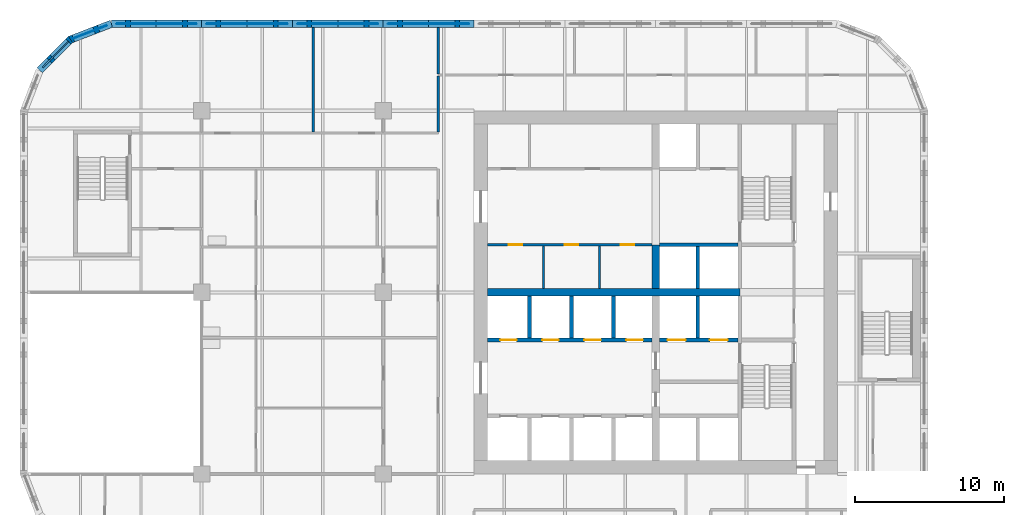
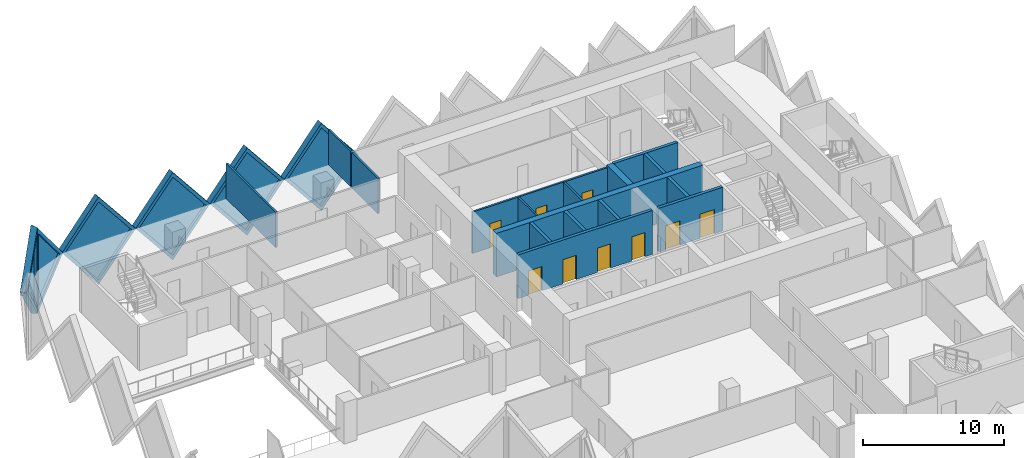
# One storey, part 9 of 20: 22 walls, 9 doors, 6 plates, 15 openings.
"""IFC4 building model written with IfcOpenShell, lengths in metres."""

from ifc_helpers import new_model, si_unit, direction, frame, frame_2d, origin, place, context, subcontext, project, spatial, polyline, rectangle, outline, extrude, faceted_brep, source, transform, mapped, material, layer, layer_set, type_object, element, fill, save


model = new_model("IFC4")

# Units and contexts
model_context = context("Model", 3, precision=1e-05, world=origin(), true_north=direction((0.0, 1.0)))
body_context = subcontext(model_context, "Body", "Model", "MODEL_VIEW")
ifc_project = project(units=[si_unit("LENGTHUNIT", "METRE"), si_unit("AREAUNIT", "SQUARE_METRE"), si_unit("VOLUMEUNIT", "CUBIC_METRE"), si_unit("PLANEANGLEUNIT", "RADIAN"), si_unit("MASSUNIT", "GRAM", prefix="KILO")], contexts=[model_context])

# Site, building, storey
site_placement = place(None, origin())
site = spatial("IfcSite", under=ifc_project, at=site_placement, CompositionType="ELEMENT")
building_placement = place(site_placement, origin())
building = spatial("IfcBuilding", under=site, at=building_placement, Name="Tessera Gate Towers", CompositionType="ELEMENT")
storey_placement = place(building_placement, frame((0.0, 0.0, 52.39990234375)))
storey = spatial("IfcBuildingStorey", under=building, at=storey_placement, Name="L12", CompositionType="ELEMENT", Elevation=52.39990234375)

# Wall, openings, doors
ifc_material_1 = material(Name="Concrete C40/50", Category="concrete")
ifc_layer_1 = layer(ifc_material_1, 0.25)
ifc_layer_set_1 = layer_set([ifc_layer_1], Name="CORE ENCLOSURE WALL 250")
wall_type_1 = type_object("IfcWallType", Name="CORE ENCLOSURE WALL 250", PredefinedType="SOLIDWALL", material=ifc_layer_set_1)
wall_1_placement = place(storey_placement, frame((42.449951171875, 33.39990234375, 0.0), z_axis=(0.0, 0.0, 1.0), x_axis=(-1.0, 0.0, 0.0)))
wall_1 = element("IfcWall", 1, at=wall_1_placement, inside=storey, type_object=wall_type_1, Name="L12 shaft and stair enclosure wall", PredefinedType="SOLIDWALL", context=body_context, shape_type="SweptSolid", body=[
    extrude(rectangle(XDim=11.050048828125, YDim=0.25, at=frame_2d((5.52490234375, 0.0))), origin(), (0.0, 0.0, 1.0), 3.800048828125),
])
shared_shape_1 = source(origin(), body_context, "Body", "SweptSolid", [
    extrude(rectangle(XDim=1.10009765625, YDim=2.10009765625, at=frame_2d((0.550048828125, 1.050048828125))), frame((0.0, 0.135009765625, 0.0), z_axis=(0.0, -1.0, 0.0), x_axis=(1.0, 0.0, 0.0)), (0.0, 0.0, 1.0), 0.27001953125),
])
opening_1_placement = place(wall_1_placement, frame((9.08740234375, 0.0, 0.0)))
opening_1 = element("IfcOpeningElement", 2, at=opening_1_placement, cuts=wall_1, Name="Opening LD-LR5", PredefinedType="OPENING", context=body_context, shape_type="MappedRepresentation", body=[
    mapped(shared_shape_1, transform((0.0, 0.0, 0.0), scale=1.0)),
])
opening_2_placement = place(wall_1_placement, frame((6.262451171875, 0.0, 0.0)))
opening_2 = element("IfcOpeningElement", 3, at=opening_2_placement, cuts=wall_1, Name="Opening LD-LR6", PredefinedType="OPENING", context=body_context, shape_type="MappedRepresentation", body=[
    mapped(shared_shape_1, transform((0.0, 0.0, 0.0), scale=1.0)),
])
opening_3_placement = place(wall_1_placement, frame((3.4375, 0.0, 0.0)))
opening_3 = element("IfcOpeningElement", 4, at=opening_3_placement, cuts=wall_1, Name="Opening LD-LR7", PredefinedType="OPENING", context=body_context, shape_type="MappedRepresentation", body=[
    mapped(shared_shape_1, transform((0.0, 0.0, 0.0), scale=1.0)),
])
opening_4_placement = place(wall_1_placement, frame((0.612548828125, 0.0, 0.0)))
opening_4 = element("IfcOpeningElement", 5, at=opening_4_placement, cuts=wall_1, Name="Opening LD-LR8", PredefinedType="OPENING", context=body_context, shape_type="MappedRepresentation", body=[
    mapped(shared_shape_1, transform((0.0, 0.0, 0.0), scale=1.0)),
])
ifc_material_2 = material(Name="Stainless steel", Category="steel")
door_type_1 = type_object("IfcDoorType", Name="CORE DOOR LD 1100x2100", OperationType="DOUBLE_DOOR_SLIDING", PredefinedType="DOOR", material=ifc_material_2)
shared_shape_2 = source(origin(), body_context, "Body", "SweptSolid", [
    extrude(rectangle(XDim=1.10009765625, YDim=2.10009765625, at=frame_2d((0.550048828125, 1.050048828125))), frame((0.0, 0.02490234375, 0.0), z_axis=(0.0, -1.0, 0.0), x_axis=(1.0, 0.0, 0.0)), (0.0, 0.0, 1.0), 0.050048828125),
])
door_1_placement = place(opening_1_placement, origin())
door_1 = element("IfcDoor", 6, at=door_1_placement, inside=storey, type_object=door_type_1, Name="Landing door LR5 L12", OperationType="DOUBLE_DOOR_SLIDING", OverallHeight=2.10009765625, OverallWidth=1.10009765625, PredefinedType="DOOR", context=body_context, shape_type="MappedRepresentation", body=[
    mapped(shared_shape_2, transform((0.0, 0.0, 0.0), scale=1.0)),
])
fill(opening_1, door_1)
door_2_placement = place(opening_2_placement, origin())
door_2 = element("IfcDoor", 7, at=door_2_placement, inside=storey, type_object=door_type_1, Name="Landing door LR6 L12", OperationType="DOUBLE_DOOR_SLIDING", OverallHeight=2.10009765625, OverallWidth=1.10009765625, PredefinedType="DOOR", context=body_context, shape_type="MappedRepresentation", body=[
    mapped(shared_shape_2, transform((0.0, 0.0, 0.0), scale=1.0)),
])
fill(opening_2, door_2)
door_3_placement = place(opening_3_placement, origin())
door_3 = element("IfcDoor", 8, at=door_3_placement, inside=storey, type_object=door_type_1, Name="Landing door LR7 L12", OperationType="DOUBLE_DOOR_SLIDING", OverallHeight=2.10009765625, OverallWidth=1.10009765625, PredefinedType="DOOR", context=body_context, shape_type="MappedRepresentation", body=[
    mapped(shared_shape_2, transform((0.0, 0.0, 0.0), scale=1.0)),
])
fill(opening_3, door_3)
door_4_placement = place(opening_4_placement, origin())
door_4 = element("IfcDoor", 9, at=door_4_placement, inside=storey, type_object=door_type_1, Name="Landing door LR8 L12", OperationType="DOUBLE_DOOR_SLIDING", OverallHeight=2.10009765625, OverallWidth=1.10009765625, PredefinedType="DOOR", context=body_context, shape_type="MappedRepresentation", body=[
    mapped(shared_shape_2, transform((0.0, 0.0, 0.0), scale=1.0)),
])
fill(opening_4, door_4)

wall_2_placement = place(storey_placement, frame((48.22509765625, 33.39990234375, 0.0), z_axis=(0.0, 0.0, 1.0), x_axis=(-1.0, 0.0, 0.0)))
wall_2 = element("IfcWall", 10, at=wall_2_placement, inside=storey, type_object=wall_type_1, Name="L12 shaft and stair enclosure wall", PredefinedType="SOLIDWALL", context=body_context, shape_type="SweptSolid", body=[
    extrude(rectangle(XDim=5.275146484375, YDim=0.25, at=frame_2d((2.6376953125, 0.0))), origin(), (0.0, 0.0, 1.0), 3.800048828125),
])
shared_shape_3 = source(origin(), body_context, "Body", "SweptSolid", [
    extrude(rectangle(XDim=1.199951171875, YDim=2.10009765625, at=frame_2d((0.60009765625, 1.050048828125))), frame((0.0, 0.135009765625, 0.0), z_axis=(0.0, -1.0, 0.0), x_axis=(1.0, 0.0, 0.0)), (0.0, 0.0, 1.0), 0.27001953125),
])
opening_5_placement = place(wall_2_placement, frame((3.512451171875, 0.0, 0.0)))
opening_5 = element("IfcOpeningElement", 11, at=opening_5_placement, cuts=wall_2, Name="Opening LD-FF1", PredefinedType="OPENING", context=body_context, shape_type="MappedRepresentation", body=[
    mapped(shared_shape_3, transform((0.0, 0.0, 0.0), scale=1.0)),
])
opening_6_placement = place(wall_2_placement, frame((0.6875, 0.0, 0.0)))
opening_6 = element("IfcOpeningElement", 12, at=opening_6_placement, cuts=wall_2, Name="Opening LD-FF2", PredefinedType="OPENING", context=body_context, shape_type="MappedRepresentation", body=[
    mapped(shared_shape_3, transform((0.0, 0.0, 0.0), scale=1.0)),
])
ifc_material_3 = material(Name="Stainless steel", Category="steel")
door_type_2 = type_object("IfcDoorType", Name="CORE DOOR LD1200 1200x2100", OperationType="DOUBLE_DOOR_SLIDING", PredefinedType="DOOR", material=ifc_material_3)
shared_shape_4 = source(origin(), body_context, "Body", "SweptSolid", [
    extrude(rectangle(XDim=1.199951171875, YDim=2.10009765625, at=frame_2d((0.60009765625, 1.050048828125))), frame((0.0, 0.02490234375, 0.0), z_axis=(0.0, -1.0, 0.0), x_axis=(1.0, 0.0, 0.0)), (0.0, 0.0, 1.0), 0.050048828125),
])
door_5_placement = place(opening_5_placement, origin())
door_5 = element("IfcDoor", 13, at=door_5_placement, inside=storey, type_object=door_type_2, Name="Landing door FF1 L12", OperationType="DOUBLE_DOOR_SLIDING", OverallHeight=2.10009765625, OverallWidth=1.199951171875, PredefinedType="DOOR", context=body_context, shape_type="MappedRepresentation", body=[
    mapped(shared_shape_4, transform((0.0, 0.0, 0.0), scale=1.0)),
])
fill(opening_5, door_5)
door_6_placement = place(opening_6_placement, origin())
door_6 = element("IfcDoor", 14, at=door_6_placement, inside=storey, type_object=door_type_2, Name="Landing door FF2 L12", OperationType="DOUBLE_DOOR_SLIDING", OverallHeight=2.10009765625, OverallWidth=1.199951171875, PredefinedType="DOOR", context=body_context, shape_type="MappedRepresentation", body=[
    mapped(shared_shape_4, transform((0.0, 0.0, 0.0), scale=1.0)),
])
fill(opening_6, door_6)

# Walls
wall_3_placement = place(storey_placement, frame((42.949951171875, 39.800048828125, 0.0), z_axis=(0.0, 0.0, 1.0), x_axis=(1.0, 0.0, 0.0)))
element("IfcWall", 15, at=wall_3_placement, inside=storey, type_object=wall_type_1, Name="L12 shaft and stair enclosure wall", PredefinedType="SOLIDWALL", context=body_context, shape_type="SweptSolid", body=[
    extrude(rectangle(XDim=5.275146484375, YDim=0.25, at=frame_2d((2.6376953125, 0.0))), origin(), (0.0, 0.0, 1.0), 3.800048828125),
])
wall_4_placement = place(storey_placement, frame((45.52490234375, 33.52490234375, 0.0), z_axis=(0.0, 0.0, 1.0), x_axis=(0.0, 1.0, 0.0)))
element("IfcWall", 16, at=wall_4_placement, inside=storey, type_object=wall_type_1, Name="L12 shaft and stair enclosure wall", PredefinedType="SOLIDWALL", context=body_context, shape_type="SweptSolid", body=[
    extrude(rectangle(XDim=2.8251953125, YDim=0.25, at=frame_2d((1.41259765625, 0.0))), origin(), (0.0, 0.0, 1.0), 3.800048828125),
])
wall_5_placement = place(storey_placement, frame((45.52490234375, 36.85009765625, 0.0), z_axis=(0.0, 0.0, 1.0), x_axis=(0.0, 1.0, 0.0)))
element("IfcWall", 17, at=wall_5_placement, inside=storey, type_object=wall_type_1, Name="L12 shaft and stair enclosure wall", PredefinedType="SOLIDWALL", context=body_context, shape_type="SweptSolid", body=[
    extrude(rectangle(XDim=2.824951171875, YDim=0.25, at=frame_2d((1.41259765625, 0.0))), origin(), (0.0, 0.0, 1.0), 3.800048828125),
])
for number, where, z_axis, x_axis, name in (
    (18, (34.22509765625, 33.52490234375, 0.0), (0.0, 0.0, 1.0), (0.0, 1.0, 0.0), "L12 shaft and stair enclosure wall"),
    (19, (37.050048828125, 33.52490234375, 0.0), (0.0, 0.0, 1.0), (0.0, 1.0, 0.0), "L12 shaft and stair enclosure wall"),
    (20, (39.875, 33.52490234375, 0.0), (0.0, 0.0, 1.0), (0.0, 1.0, 0.0), "L12 shaft and stair enclosure wall"),
):
    element("IfcWall", number, at=place(storey_placement, frame(where, z_axis=z_axis, x_axis=x_axis)), inside=storey, type_object=wall_type_1, Name=name, PredefinedType="SOLIDWALL", context=body_context, shape_type="SweptSolid", body=[
        extrude(rectangle(XDim=2.8251953125, YDim=0.25, at=frame_2d((1.41259765625, 0.0))), origin(), (0.0, 0.0, 1.0), 3.800048828125),
    ])
ifc_material_4 = material(Name="Concrete C70/85", Category="concrete")
ifc_layer_2 = layer(ifc_material_4, 0.5)
ifc_layer_set_2 = layer_set([ifc_layer_2], Name="CORE SPINE WALL 500 C70/85")
wall_type_2 = type_object("IfcWallType", Name="CORE SPINE WALL 500 C70/85", PredefinedType="SHEAR", material=ifc_layer_set_2)
wall_6_placement = place(storey_placement, frame((31.39990234375, 36.60009765625, 0.0), z_axis=(0.0, 0.0, 1.0), x_axis=(1.0, 0.0, 0.0)))
element("IfcWall", 21, at=wall_6_placement, inside=storey, type_object=wall_type_2, Name="Core wall spine L12", PredefinedType="SHEAR", context=body_context, shape_type="SweptSolid", body=[
    extrude(rectangle(XDim=16.9501953125, YDim=0.5, at=frame_2d((8.47509765625, 0.0))), origin(), (0.0, 0.0, 1.0), 3.800048828125),
])
wall_7_placement = place(storey_placement, frame((42.699951171875, 36.85009765625, 0.0), z_axis=(0.0, 0.0, 1.0), x_axis=(0.0, 1.0, 0.0)))
element("IfcWall", 22, at=wall_7_placement, inside=storey, type_object=wall_type_2, Name="Core wall spine L12", PredefinedType="SHEAR", context=body_context, shape_type="SweptSolid", body=[
    extrude(rectangle(XDim=2.949951171875, YDim=0.5, at=frame_2d((1.47509765625, 0.0))), origin(), (0.0, 0.0, 1.0), 3.800048828125),
])
ifc_material_5 = material(Name="Gypsum board on steel studs, mineral wool", Category="steel")
ifc_layer_3 = layer(ifc_material_5, 0.14990234375)
ifc_layer_set_3 = layer_set([ifc_layer_3], Name="CORRIDOR WALL 150")
wall_type_3 = type_object("IfcWallType", Name="CORRIDOR WALL 150", PredefinedType="PARTITIONING", material=ifc_layer_set_3)
wall_8_placement = place(storey_placement, frame((28.10009765625, 47.3759765625, 0.0), z_axis=(0.0, 0.0, 1.0), x_axis=(0.0, 1.0, 0.0)))
element("IfcWall", 23, at=wall_8_placement, inside=storey, type_object=wall_type_3, Name="T1-L12-PW-051", PredefinedType="PARTITIONING", context=body_context, shape_type="SweptSolid", body=[
    extrude(rectangle(XDim=3.748046875, YDim=0.14990234375, at=frame_2d((1.8740234375, 0.0))), origin(), (0.0, 0.0, 1.0), 3.067138671875),
])

# Wall, openings, doors
ifc_material_6 = material(Name="Gypsum board on steel studs", Category="steel")
ifc_layer_4 = layer(ifc_material_6, 0.14990234375)
ifc_layer_set_4 = layer_set([ifc_layer_4], Name="SERVICE ROOM WALL 150")
wall_type_4 = type_object("IfcWallType", Name="SERVICE ROOM WALL 150", PredefinedType="PARTITIONING", material=ifc_layer_set_4)
wall_9_placement = place(storey_placement, frame((42.449951171875, 39.800048828125, 0.0), z_axis=(0.0, 0.0, 1.0), x_axis=(-1.0, 0.0, 0.0)))
wall_9 = element("IfcWall", 24, at=wall_9_placement, inside=storey, type_object=wall_type_4, Name="L12 service room wall", PredefinedType="PARTITIONING", context=body_context, shape_type="SweptSolid", body=[
    extrude(rectangle(XDim=11.050048828125, YDim=0.14990234375, at=frame_2d((5.52490234375, 0.0))), origin(), (0.0, 0.0, 1.0), 3.60009765625),
])
shared_shape_5 = source(origin(), body_context, "Body", "SweptSolid", [
    extrude(rectangle(XDim=0.89990234375, YDim=2.10009765625, at=frame_2d((0.449951171875, 1.050048828125))), frame((0.0, 0.0849609375, 0.0), z_axis=(0.0, -1.0, 0.0), x_axis=(1.0, 0.0, 0.0)), (0.0, 0.0, 1.0), 0.169921875),
])
opening_7_placement = place(wall_9_placement, frame((8.71240234375, 0.0, 0.0)))
opening_7 = element("IfcOpeningElement", 25, at=opening_7_placement, cuts=wall_9, Name="Opening RD-T1-09-07", PredefinedType="OPENING", context=body_context, shape_type="MappedRepresentation", body=[
    mapped(shared_shape_5, transform((0.0, 0.0, 0.0), scale=1.0)),
])
opening_8_placement = place(wall_9_placement, frame((4.949951171875, 0.0, 0.0)))
opening_8 = element("IfcOpeningElement", 26, at=opening_8_placement, cuts=wall_9, Name="Opening RD-T1-09-08", PredefinedType="OPENING", context=body_context, shape_type="MappedRepresentation", body=[
    mapped(shared_shape_5, transform((0.0, 0.0, 0.0), scale=1.0)),
])
opening_9_placement = place(wall_9_placement, frame((1.1875, 0.0, 0.0)))
opening_9 = element("IfcOpeningElement", 27, at=opening_9_placement, cuts=wall_9, Name="Opening RD-T1-09-09", PredefinedType="OPENING", context=body_context, shape_type="MappedRepresentation", body=[
    mapped(shared_shape_5, transform((0.0, 0.0, 0.0), scale=1.0)),
])
ifc_material_7 = material(Name="Hollow steel fire door", Category="steel")
door_type_3 = type_object("IfcDoorType", Name="CORE DOOR RD 900x2100", OperationType="NOTDEFINED", PredefinedType="DOOR", material=ifc_material_7)
shared_shape_6 = source(origin(), body_context, "Body", "SweptSolid", [
    extrude(rectangle(XDim=0.89990234375, YDim=2.10009765625, at=frame_2d((0.449951171875, 1.050048828125))), frame((0.0, 0.02490234375, 0.0), z_axis=(0.0, -1.0, 0.0), x_axis=(1.0, 0.0, 0.0)), (0.0, 0.0, 1.0), 0.050048828125),
])
door_7_placement = place(opening_7_placement, origin())
door_7 = element("IfcDoor", 28, at=door_7_placement, inside=storey, type_object=door_type_3, Name="Core room door", OperationType="SINGLE_SWING_RIGHT", OverallHeight=2.10009765625, OverallWidth=0.89990234375, PredefinedType="DOOR", context=body_context, shape_type="MappedRepresentation", body=[
    mapped(shared_shape_6, transform((0.0, 0.0, 0.0), scale=1.0)),
])
fill(opening_7, door_7)
door_8_placement = place(opening_8_placement, origin())
door_8 = element("IfcDoor", 29, at=door_8_placement, inside=storey, type_object=door_type_3, Name="Core room door", OperationType="SINGLE_SWING_LEFT", OverallHeight=2.10009765625, OverallWidth=0.89990234375, PredefinedType="DOOR", context=body_context, shape_type="MappedRepresentation", body=[
    mapped(shared_shape_6, transform((0.0, 0.0, 0.0), scale=1.0)),
])
fill(opening_8, door_8)
door_9_placement = place(opening_9_placement, origin())
door_9 = element("IfcDoor", 30, at=door_9_placement, inside=storey, type_object=door_type_3, Name="Core room door", OperationType="SINGLE_SWING_LEFT", OverallHeight=2.10009765625, OverallWidth=0.89990234375, PredefinedType="DOOR", context=body_context, shape_type="MappedRepresentation", body=[
    mapped(shared_shape_6, transform((0.0, 0.0, 0.0), scale=1.0)),
])
fill(opening_9, door_9)

# Walls
for number, where, z_axis, x_axis, name in (
    (31, (35.175048828125, 36.85009765625, 0.0), (0.0, 0.0, 1.0), (0.0, 1.0, 0.0), "L12 service room wall"),
    (32, (38.925048828125, 36.85009765625, 0.0), (0.0, 0.0, 1.0), (0.0, 1.0, 0.0), "L12 service room wall"),
):
    element("IfcWall", number, at=place(storey_placement, frame(where, z_axis=z_axis, x_axis=x_axis)), inside=storey, type_object=wall_type_4, Name=name, PredefinedType="PARTITIONING", context=body_context, shape_type="SweptSolid", body=[
        extrude(rectangle(XDim=2.875, YDim=0.14990234375, at=frame_2d((1.4375, 0.0))), origin(), (0.0, 0.0, 1.0), 3.60009765625),
    ])
ifc_material_8 = material(Name="Gypsum board on steel studs, mineral wool", Category="steel")
ifc_layer_5 = layer(ifc_material_8, 0.14990234375)
ifc_layer_set_5 = layer_set([ifc_layer_5], Name="TENANCY WALL 150")
wall_type_5 = type_object("IfcWallType", Name="TENANCY WALL 150", PredefinedType="PARTITIONING", material=ifc_layer_set_5)
wall_10_placement = place(storey_placement, frame((19.699951171875, 47.3759765625, 0.0), z_axis=(0.0, 0.0, 1.0), x_axis=(0.0, 1.0, 0.0)))
element("IfcWall", 33, at=wall_10_placement, inside=storey, type_object=wall_type_5, Name="T1-L12-PW-050", PredefinedType="PARTITIONING", context=body_context, shape_type="SweptSolid", body=[
    extrude(rectangle(XDim=7.02392578125, YDim=0.14990234375, at=frame_2d((3.511962890625, 0.0))), origin(), (0.0, 0.0, 1.0), 3.067138671875),
])
wall_11_placement = place(storey_placement, frame((28.10009765625, 51.27587890625, 0.0), z_axis=(0.0, 0.0, 1.0), x_axis=(0.0, 1.0, 0.0)))
element("IfcWall", 34, at=wall_11_placement, inside=storey, type_object=wall_type_5, Name="T1-L12-PW-055", PredefinedType="PARTITIONING", context=body_context, shape_type="SweptSolid", body=[
    extrude(rectangle(XDim=3.1240234375, YDim=0.14990234375, at=frame_2d((1.56201171875, 0.0))), origin(), (0.0, 0.0, 1.0), 3.067138671875),
])

# Wall, opening, plate
ifc_material_9 = material(Name="Precast concrete C60/75 white", Category="concrete")
ifc_layer_6 = layer(ifc_material_9, 0.5)
ifc_layer_set_6 = layer_set([ifc_layer_6], Name="TS1 tessera")
wall_type_6 = type_object("IfcWallType", Name="TS1 tessera", PredefinedType="SOLIDWALL", material=ifc_layer_set_6)
shared_shape_7 = source(origin(), body_context, "Body", "Brep", [
    faceted_brep([(3.050048828125, -0.25, 0.0), (6.099853515625, -0.25, 3.799560546875), (6.099853515625, -0.25, 3.800048828125), (3.050048828125, -0.25, 7.599853515625), (0.0, -0.25, 3.7998046875), (0.0, 0.25, 3.7998046875), (3.050048828125, 0.25, 7.599853515625), (6.099853515625, 0.25, 3.800048828125), (6.099853515625, 0.25, 3.799560546875), (3.050048828125, 0.25, 0.0)], [[[0, 1, 2, 3, 4]], [[5, 6, 7, 8, 9]], [[9, 8, 1, 0]], [[7, 6, 3, 2]], [[6, 5, 4, 3]], [[5, 9, 0, 4]], [[1, 8, 7, 2]]]),
])
wall_12_placement = place(storey_placement, frame((24.39990234375, 54.64990234375, -3.7998046875), z_axis=(0.0, 0.0, 1.0), x_axis=(-1.0, 0.0, 0.0)))
wall_12 = element("IfcWall", 35, at=wall_12_placement, inside=storey, type_object=wall_type_6, Name="Precast tessera T1 TS1-0176", PredefinedType="SOLIDWALL", context=body_context, shape_type="MappedRepresentation", body=[
    mapped(shared_shape_7, transform((0.0, 0.0, 0.0), scale=1.0)),
])
shared_shape_8 = source(origin(), body_context, "Body", "SweptSolid", [
    extrude(outline(polyline([(3.050048828125, 0.3994140625), (5.779541015625, 3.7998046875), (3.050048828125, 7.200439453125), (0.320556640625, 3.7998046875), (3.050048828125, 0.3994140625)])), frame((0.0, 0.260009765625, 0.0), z_axis=(0.0, -1.0, 0.0), x_axis=(1.0, 0.0, 0.0)), (0.0, 0.0, 1.0), 0.52001953125),
])
opening_10_placement = place(wall_12_placement, origin())
opening_10 = element("IfcOpeningElement", 36, at=opening_10_placement, cuts=wall_12, Name="Opening T1-PL2-0352", PredefinedType="OPENING", context=body_context, shape_type="MappedRepresentation", body=[
    mapped(shared_shape_8, transform((0.0, 0.0, 0.0), scale=1.0)),
])
ifc_material_10 = material(Name="Low-e laminated glass", Category="glass")
ifc_layer_7 = layer(ifc_material_10, 0.06005859375)
ifc_layer_set_7 = layer_set([ifc_layer_7], Name="PL2 rhombic pane")
plate_type = type_object("IfcPlateType", Name="PL2 rhombic pane", PredefinedType="SHEET", material=ifc_layer_set_7)
shared_shape_9 = source(origin(), body_context, "Body", "SweptSolid", [
    extrude(outline(polyline([(3.050048828125, 0.3994140625), (5.779541015625, 3.7998046875), (3.050048828125, 7.200439453125), (0.320556640625, 3.7998046875), (3.050048828125, 0.3994140625)])), frame((0.0, 0.030029296875, 0.0), z_axis=(0.0, -1.0, 0.0), x_axis=(1.0, 0.0, 0.0)), (0.0, 0.0, 1.0), 0.06005859375),
])
plate_1_placement = place(opening_10_placement, origin())
plate_1 = element("IfcPlate", 37, at=plate_1_placement, inside=storey, type_object=plate_type, Name="Glass pane T1 PL2-0352", PredefinedType="SHEET", context=body_context, shape_type="MappedRepresentation", body=[
    mapped(shared_shape_9, transform((0.0, 0.0, 0.0), scale=1.0)),
])
fill(opening_10, plate_1)

shared_shape_10 = source(origin(), body_context, "Body", "SweptSolid", [
    extrude(outline(polyline([(3.050048828125, 0.0), (6.10009765625, 3.7998046875), (3.050048828125, 7.599853515625), (0.0, 3.7998046875), (3.050048828125, 0.0)])), frame((0.0, 0.25, 0.0), z_axis=(0.0, -1.0, 0.0), x_axis=(1.0, 0.0, 0.0)), (0.0, 0.0, 1.0), 0.5),
])
wall_13_placement = place(storey_placement, frame((30.5, 54.64990234375, -3.7998046875), z_axis=(0.0, 0.0, 1.0), x_axis=(-1.0, 0.0, 0.0)))
wall_13 = element("IfcWall", 38, at=wall_13_placement, inside=storey, type_object=wall_type_6, Name="Precast tessera T1 TS1-0175", PredefinedType="SOLIDWALL", context=body_context, shape_type="MappedRepresentation", body=[
    mapped(shared_shape_10, transform((0.0, 0.0, 0.0), scale=1.0)),
])
opening_11_placement = place(wall_13_placement, origin())
opening_11 = element("IfcOpeningElement", 39, at=opening_11_placement, cuts=wall_13, Name="Opening T1-PL2-0351", PredefinedType="OPENING", context=body_context, shape_type="MappedRepresentation", body=[
    mapped(shared_shape_8, transform((0.0, 0.0, 0.0), scale=1.0)),
])
plate_2_placement = place(opening_11_placement, origin())
plate_2 = element("IfcPlate", 40, at=plate_2_placement, inside=storey, type_object=plate_type, Name="Glass pane T1 PL2-0351", PredefinedType="SHEET", context=body_context, shape_type="MappedRepresentation", body=[
    mapped(shared_shape_9, transform((0.0, 0.0, 0.0), scale=1.0)),
])
fill(opening_11, plate_2)

wall_14_placement = place(storey_placement, frame((18.300048828125, 54.64990234375, -3.7998046875), z_axis=(0.0, 0.0, 1.0), x_axis=(-1.0, 0.0, 0.0)))
wall_14 = element("IfcWall", 41, at=wall_14_placement, inside=storey, type_object=wall_type_6, Name="Precast tessera T1 TS1-0177", PredefinedType="SOLIDWALL", context=body_context, shape_type="MappedRepresentation", body=[
    mapped(shared_shape_10, transform((0.0, 0.0, 0.0), scale=1.0)),
])
opening_12_placement = place(wall_14_placement, origin())
opening_12 = element("IfcOpeningElement", 42, at=opening_12_placement, cuts=wall_14, Name="Opening T1-PL2-0353", PredefinedType="OPENING", context=body_context, shape_type="MappedRepresentation", body=[
    mapped(shared_shape_8, transform((0.0, 0.0, 0.0), scale=1.0)),
])
plate_3_placement = place(opening_12_placement, origin())
plate_3 = element("IfcPlate", 43, at=plate_3_placement, inside=storey, type_object=plate_type, Name="Glass pane T1 PL2-0353", PredefinedType="SHEET", context=body_context, shape_type="MappedRepresentation", body=[
    mapped(shared_shape_9, transform((0.0, 0.0, 0.0), scale=1.0)),
])
fill(opening_12, plate_3)

shared_shape_11 = source(origin(), body_context, "Body", "Brep", [
    faceted_brep([(3.050048828125, -0.25, 0.0), (6.053466796875, -0.25, 3.7998046875), (3.050048828125, -0.25, 7.599853515625), (0.0, -0.25, 3.7998046875), (0.0, 0.25, 3.7998046875), (3.050048828125, 0.25, 7.599853515625), (6.0068359375, 0.25, 3.858642578125), (6.0068359375, 0.25, 3.740966796875), (3.050048828125, 0.25, 0.0), (6.053466796875, 0.0, 3.7998046875)], [[[0, 1, 2, 3]], [[4, 5, 6, 7, 8]], [[8, 7, 9, 1, 0]], [[6, 5, 2, 1, 9]], [[5, 4, 3, 2]], [[4, 8, 0, 3]], [[9, 7, 6]]]),
])
wall_15_placement = place(storey_placement, frame((12.199951171875, 54.64990234375, -3.7998046875), z_axis=(0.0, 0.0, 1.0), x_axis=(-1.0, 0.0, 0.0)))
wall_15 = element("IfcWall", 44, at=wall_15_placement, inside=storey, type_object=wall_type_6, Name="Precast tessera T1 TS1-0178", PredefinedType="SOLIDWALL", context=body_context, shape_type="MappedRepresentation", body=[
    mapped(shared_shape_11, transform((0.0, 0.0, 0.0), scale=1.0)),
])
shared_shape_12 = source(origin(), body_context, "Body", "SweptSolid", [
    extrude(outline(polyline([(3.048583984375, 0.401123046875), (5.73486328125, 3.7998046875), (3.048583984375, 7.19873046875), (0.320556640625, 3.7998046875), (3.048583984375, 0.401123046875)])), frame((0.0, 0.260009765625, 0.0), z_axis=(0.0, -1.0, 0.0), x_axis=(1.0, 0.0, 0.0)), (0.0, 0.0, 1.0), 0.52001953125),
])
opening_13_placement = place(wall_15_placement, origin())
opening_13 = element("IfcOpeningElement", 45, at=opening_13_placement, cuts=wall_15, Name="Opening T1-PL2-0354", PredefinedType="OPENING", context=body_context, shape_type="MappedRepresentation", body=[
    mapped(shared_shape_12, transform((0.0, 0.0, 0.0), scale=1.0)),
])
shared_shape_13 = source(origin(), body_context, "Body", "SweptSolid", [
    extrude(outline(polyline([(3.048583984375, 0.401123046875), (5.73486328125, 3.7998046875), (3.048583984375, 7.19873046875), (0.320556640625, 3.7998046875), (3.048583984375, 0.401123046875)])), frame((0.0, 0.030029296875, 0.0), z_axis=(0.0, -1.0, 0.0), x_axis=(1.0, 0.0, 0.0)), (0.0, 0.0, 1.0), 0.06005859375),
])
plate_4_placement = place(opening_13_placement, origin())
plate_4 = element("IfcPlate", 46, at=plate_4_placement, inside=storey, type_object=plate_type, Name="Glass pane T1 PL2-0354", PredefinedType="SHEET", context=body_context, shape_type="MappedRepresentation", body=[
    mapped(shared_shape_13, transform((0.0, 0.0, 0.0), scale=1.0)),
])
fill(opening_13, plate_4)

ifc_material_11 = material(Name="Precast concrete C60/75 white", Category="concrete")
ifc_layer_8 = layer(ifc_material_11, 0.5)
ifc_layer_set_8 = layer_set([ifc_layer_8], Name="TS3 corner tessera")
wall_type_7 = type_object("IfcWallType", Name="TS3 corner tessera", PredefinedType="SOLIDWALL", material=ifc_layer_set_8)
shared_shape_14 = source(origin(), body_context, "Body", "Brep", [
    faceted_brep([(0.052978515625, -0.25, 0.0), (2.9970703125, -0.25, 3.7998046875), (0.052978515625, -0.25, 7.599853515625), (0.0, -0.25, 7.53173828125), (0.0, -0.25, 0.068115234375), (0.10595703125, 0.25, 7.531494140625), (2.944091796875, 0.25, 3.867919921875), (2.944091796875, 0.25, 3.731689453125), (0.10595703125, 0.25, 0.068359375), (2.9970703125, 0.000244140625, 3.7998046875), (0.052978515625, 0.0, 0.0), (0.052978515625, 0.0, 7.599853515625)], [[[0, 1, 2, 3, 4]], [[5, 6, 7, 8]], [[8, 7, 9, 1, 0, 10]], [[6, 5, 11, 2, 1, 9]], [[3, 2, 11]], [[10, 0, 4]], [[8, 10, 4, 3, 11, 5]], [[9, 7, 6]]]),
])
wall_16_placement = place(storey_placement, frame((3.43115234375, 53.62548828125, -3.7998046875), z_axis=(0.0, 0.0, 1.0), x_axis=(-0.707106781187, -0.707106781187, 0.0)))
wall_16 = element("IfcWall", 47, at=wall_16_placement, inside=storey, type_object=wall_type_7, Name="Precast corner tessera T1 TS3-0250", PredefinedType="SOLIDWALL", context=body_context, shape_type="MappedRepresentation", body=[
    mapped(shared_shape_14, transform((0.0, 0.0, 0.0), scale=1.0)),
])
shared_shape_15 = source(origin(), body_context, "Body", "SweptSolid", [
    extrude(outline(polyline([(0.2529296875, 0.666259765625), (2.680908203125, 3.7998046875), (0.2529296875, 6.93359375), (0.2529296875, 0.666259765625)])), frame((0.0, 0.260009765625, 0.0), z_axis=(0.0, -1.0, 0.0), x_axis=(1.0, 0.0, 0.0)), (0.0, 0.0, 1.0), 0.52001953125),
])
opening_14_placement = place(wall_16_placement, origin())
opening_14 = element("IfcOpeningElement", 48, at=opening_14_placement, cuts=wall_16, Name="Opening T1-PL2-0356", PredefinedType="OPENING", context=body_context, shape_type="MappedRepresentation", body=[
    mapped(shared_shape_15, transform((0.0, 0.0, 0.0), scale=1.0)),
])
shared_shape_16 = source(origin(), body_context, "Body", "SweptSolid", [
    extrude(outline(polyline([(0.2529296875, 0.666259765625), (2.680908203125, 3.7998046875), (0.2529296875, 6.93359375), (0.2529296875, 0.666259765625)])), frame((0.0, 0.030029296875, 0.0), z_axis=(0.0, -1.0, 0.0), x_axis=(1.0, 0.0, 0.0)), (0.0, 0.0, 1.0), 0.06005859375),
])
plate_5_placement = place(opening_14_placement, origin())
plate_5 = element("IfcPlate", 49, at=plate_5_placement, inside=storey, type_object=plate_type, Name="Glass pane T1 PL2-0356", PredefinedType="SHEET", context=body_context, shape_type="MappedRepresentation", body=[
    mapped(shared_shape_16, transform((0.0, 0.0, 0.0), scale=1.0)),
])
fill(opening_14, plate_5)

shared_shape_17 = source(origin(), body_context, "Body", "Brep", [
    faceted_brep([(2.950439453125, -0.25, 0.0), (3.00341796875, -0.25, 0.068359375), (3.00341796875, -0.25, 7.531494140625), (2.950439453125, -0.25, 7.599853515625), (0.0, -0.25, 3.7998046875), (0.046630859375, 0.25, 3.85986328125), (2.897705078125, 0.25, 7.53173828125), (2.897705078125, 0.25, 0.068115234375), (0.046630859375, 0.25, 3.73974609375), (2.950439453125, 0.00048828125, 0.0), (2.950439453125, 0.00048828125, 7.599853515625), (0.0, 0.0, 3.7998046875)], [[[0, 1, 2, 3, 4]], [[5, 6, 7, 8]], [[1, 0, 9]], [[10, 3, 2]], [[6, 5, 11, 4, 3, 10]], [[8, 7, 9, 0, 4, 11]], [[8, 11, 5]], [[1, 9, 7, 6, 10, 2]]]),
])
wall_17_placement = place(storey_placement, frame((6.146484375, 54.64990234375, -3.7998046875), z_axis=(0.0, 0.0, 1.0), x_axis=(-0.932997369089, -0.359883188373, 0.0)))
wall_17 = element("IfcWall", 50, at=wall_17_placement, inside=storey, type_object=wall_type_7, Name="Precast corner tessera T1 TS3-0249", PredefinedType="SOLIDWALL", context=body_context, shape_type="MappedRepresentation", body=[
    mapped(shared_shape_17, transform((0.0, 0.0, 0.0), scale=1.0)),
])
shared_shape_18 = source(origin(), body_context, "Body", "SweptSolid", [
    extrude(outline(polyline([(2.75048828125, 6.9345703125), (0.31640625, 3.7998046875), (2.75048828125, 0.6650390625), (2.75048828125, 6.9345703125)])), frame((0.0, 0.260009765625, 0.0), z_axis=(0.0, -1.0, 0.0), x_axis=(1.0, 0.0, 0.0)), (0.0, 0.0, 1.0), 0.52001953125),
])
opening_15_placement = place(wall_17_placement, origin())
opening_15 = element("IfcOpeningElement", 51, at=opening_15_placement, cuts=wall_17, Name="Opening T1-PL2-0355", PredefinedType="OPENING", context=body_context, shape_type="MappedRepresentation", body=[
    mapped(shared_shape_18, transform((0.0, 0.0, 0.0), scale=1.0)),
])
shared_shape_19 = source(origin(), body_context, "Body", "SweptSolid", [
    extrude(outline(polyline([(2.75048828125, 6.9345703125), (0.31640625, 3.7998046875), (2.75048828125, 0.6650390625), (2.75048828125, 6.9345703125)])), frame((0.0, 0.030029296875, 0.0), z_axis=(0.0, -1.0, 0.0), x_axis=(1.0, 0.0, 0.0)), (0.0, 0.0, 1.0), 0.06005859375),
])
plate_6_placement = place(opening_15_placement, origin())
plate_6 = element("IfcPlate", 52, at=plate_6_placement, inside=storey, type_object=plate_type, Name="Glass pane T1 PL2-0355", PredefinedType="SHEET", context=body_context, shape_type="MappedRepresentation", body=[
    mapped(shared_shape_19, transform((0.0, 0.0, 0.0), scale=1.0)),
])
fill(opening_15, plate_6)

save(model, "model.ifc")
